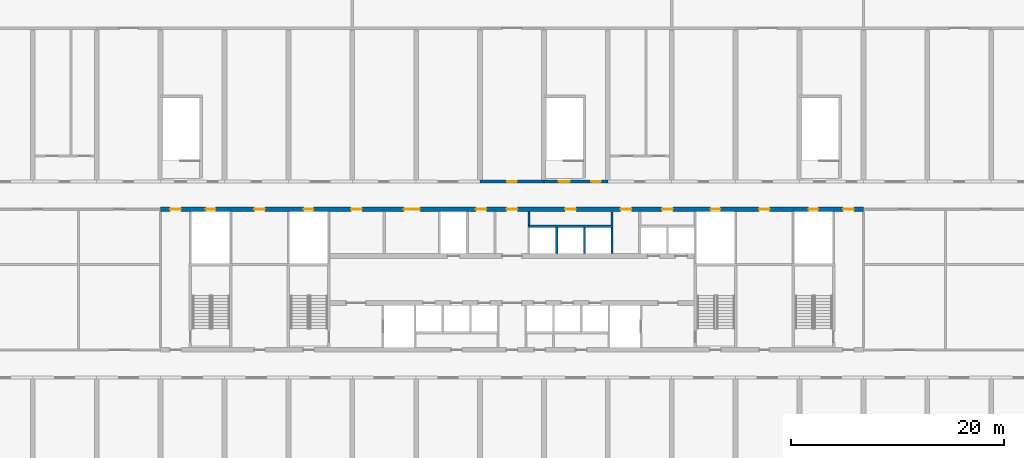
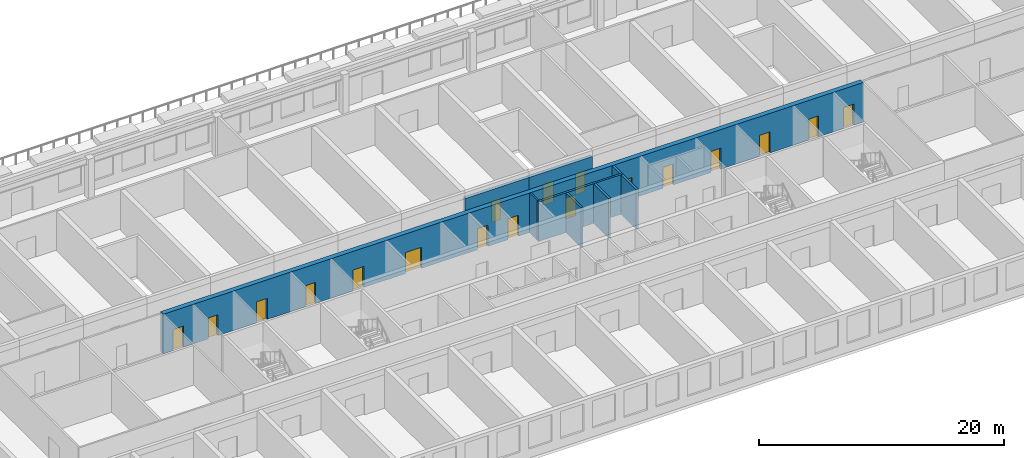
# One storey, part 6 of 15: 18 doors, 9 walls, 18 openings.
"""IFC4 building model written with IfcOpenShell, lengths in metres."""

from ifc_helpers import new_model, si_unit, direction, frame, frame_2d, origin, place, context, subcontext, project, spatial, rectangle, extrude, material, layer, layer_set, type_object, element, fill, save


model = new_model("IFC4")

# Units and contexts
model_context = context("Model", 3, precision=1e-05, world=origin(), true_north=direction((0.0, 1.0)))
body_context = subcontext(model_context, "Body", "Model", "MODEL_VIEW")
ifc_project = project(units=[si_unit("LENGTHUNIT", "METRE"), si_unit("AREAUNIT", "SQUARE_METRE"), si_unit("VOLUMEUNIT", "CUBIC_METRE"), si_unit("PLANEANGLEUNIT", "RADIAN"), si_unit("MASSUNIT", "GRAM", prefix="KILO")], contexts=[model_context])

# Site, building, storey
site_placement = place(None, origin())
site = spatial("IfcSite", under=ifc_project, at=site_placement, CompositionType="ELEMENT")
building_placement = place(site_placement, origin())
building = spatial("IfcBuilding", under=site, at=building_placement, Name="Poui Terraces", CompositionType="ELEMENT")
storey_placement = place(building_placement, frame((0.0, 0.0, 19.199951171875)))
storey = spatial("IfcBuildingStorey", under=building, at=storey_placement, Name="L04", CompositionType="ELEMENT", Elevation=19.199951171875)

# Wall
ifc_material_1 = material(Name="Fire-rated plasterboard wall")
ifc_layer_1 = layer(ifc_material_1, 0.14990234375)
ifc_layer_set_1 = layer_set([ifc_layer_1], Name="Fire-rated plasterboard wall")
wall_type_1 = type_object("IfcWallType", Name="CORRIDOR WALL 150", PredefinedType="PARTITIONING", material=ifc_layer_set_1)
wall_1_placement = place(storey_placement, frame((52.60009765625, 26.300048828125, 0.0), z_axis=(0.0, 0.0, 1.0), x_axis=(0.0, 1.0, 0.0)))
element("IfcWall", 1, at=wall_1_placement, inside=storey, type_object=wall_type_1, Name="CORRIDOR WALL 150", PredefinedType="PARTITIONING", context=body_context, shape_type="SweptSolid", body=[
    extrude(rectangle(XDim=1.264892578125, YDim=0.14990234375, at=frame_2d((0.63232421875, 0.0))), origin(), (0.0, 0.0, 1.0), 3.949951171875),
])

# Wall, opening, door
ifc_material_2 = material(Name="Concrete 80 MPa", Category="concrete")
ifc_layer_2 = layer(ifc_material_2, 0.300048828125)
ifc_layer_set_2 = layer_set([ifc_layer_2], Name="Concrete 80 MPa")
wall_type_2 = type_object("IfcWallType", Name="CORRIDOR WALL 300 80MPa", PredefinedType="SHEAR", material=ifc_layer_set_2)
wall_2_placement = place(storey_placement, frame((48.0, 30.39990234375, 0.0), z_axis=(0.0, 0.0, 1.0), x_axis=(1.0, 0.0, 0.0)))
wall_2 = element("IfcWall", 2, at=wall_2_placement, inside=storey, type_object=wall_type_2, Name="CORRIDOR WALL LINE E BAY 9", PredefinedType="SHEAR", context=body_context, shape_type="SweptSolid", body=[
    extrude(rectangle(XDim=6.0, YDim=0.300048828125, at=frame_2d((3.0, 0.0))), origin(), (0.0, 0.0, 1.0), 3.35009765625),
])
opening_1_placement = place(wall_2_placement, frame((2.550048828125, 0.0, 0.0)))
opening_1 = element("IfcOpeningElement", 3, at=opening_1_placement, cuts=wall_2, Name="Opening D90", PredefinedType="OPENING", context=body_context, shape_type="SweptSolid", body=[
    extrude(rectangle(XDim=0.89990234375, YDim=2.10009765625, at=frame_2d((0.449951171875, 1.050048828125))), frame((0.0, 0.16015625, 0.0), z_axis=(0.0, -1.0, 0.0), x_axis=(1.0, 0.0, 0.0)), (0.0, 0.0, 1.0), 0.320068359375),
])
ifc_material_3 = material(Name="Solid core timber door", Category="wood")
door_type_1 = type_object("IfcDoorType", Name="INTERNAL DOOR 900 X 2100", OperationType="NOTDEFINED", PredefinedType="DOOR", material=ifc_material_3)
door_1_placement = place(opening_1_placement, frame((0.89990234375, 0.0, 0.0), z_axis=(0.0, 0.0, 1.0), x_axis=(-1.0, 0.0, 0.0)))
door_1 = element("IfcDoor", 4, at=door_1_placement, inside=storey, type_object=door_type_1, Name="INTERNAL DOOR 021", OperationType="SINGLE_SWING_LEFT", OverallHeight=2.10009765625, OverallWidth=0.89990234375, PredefinedType="DOOR", context=body_context, shape_type="SweptSolid", body=[
    extrude(rectangle(XDim=0.89990234375, YDim=2.10009765625, at=frame_2d((0.449951171875, 1.050048828125))), frame((0.0, 0.02490234375, 0.0), z_axis=(0.0, -1.0, 0.0), x_axis=(1.0, 0.0, 0.0)), (0.0, 0.0, 1.0), 0.050048828125),
])
fill(opening_1, door_1)

# Wall, openings, doors
wall_3_placement = place(storey_placement, frame((54.0, 30.39990234375, 0.0), z_axis=(0.0, 0.0, 1.0), x_axis=(1.0, 0.0, 0.0)))
wall_3 = element("IfcWall", 5, at=wall_3_placement, inside=storey, type_object=wall_type_2, Name="CORRIDOR WALL LINE E BAY 10", PredefinedType="SHEAR", context=body_context, shape_type="SweptSolid", body=[
    extrude(rectangle(XDim=6.0, YDim=0.300048828125, at=frame_2d((3.0, 0.0))), origin(), (0.0, 0.0, 1.0), 3.35009765625),
])
opening_2_placement = place(wall_3_placement, frame((1.39990234375, 0.0, 0.0)))
opening_2 = element("IfcOpeningElement", 6, at=opening_2_placement, cuts=wall_3, Name="Opening FD60S", PredefinedType="OPENING", context=body_context, shape_type="SweptSolid", body=[
    extrude(rectangle(XDim=1.0, YDim=2.10009765625, at=frame_2d((0.5, 1.050048828125))), frame((0.0, 0.16015625, 0.0), z_axis=(0.0, -1.0, 0.0), x_axis=(1.0, 0.0, 0.0)), (0.0, 0.0, 1.0), 0.320068359375),
])
opening_3_placement = place(wall_3_placement, frame((4.449951171875, 0.0, 0.0)))
opening_3 = element("IfcOpeningElement", 7, at=opening_3_placement, cuts=wall_3, Name="Opening D90", PredefinedType="OPENING", context=body_context, shape_type="SweptSolid", body=[
    extrude(rectangle(XDim=0.89990234375, YDim=2.10009765625, at=frame_2d((0.449951171875, 1.050048828125))), frame((0.0, 0.16015625, 0.0), z_axis=(0.0, -1.0, 0.0), x_axis=(1.0, 0.0, 0.0)), (0.0, 0.0, 1.0), 0.320068359375),
])
door_2_placement = place(opening_3_placement, frame((0.89990234375, 0.0, 0.0), z_axis=(0.0, 0.0, 1.0), x_axis=(-1.0, 0.0, 0.0)))
door_2 = element("IfcDoor", 8, at=door_2_placement, inside=storey, type_object=door_type_1, Name="INTERNAL DOOR 024", OperationType="SINGLE_SWING_LEFT", OverallHeight=2.10009765625, OverallWidth=0.89990234375, PredefinedType="DOOR", context=body_context, shape_type="SweptSolid", body=[
    extrude(rectangle(XDim=0.89990234375, YDim=2.10009765625, at=frame_2d((0.449951171875, 1.050048828125))), frame((0.0, 0.02490234375, 0.0), z_axis=(0.0, -1.0, 0.0), x_axis=(1.0, 0.0, 0.0)), (0.0, 0.0, 1.0), 0.050048828125),
])
fill(opening_3, door_2)
ifc_material_4 = material(Name="Steel fire door", Category="steel")
door_type_2 = type_object("IfcDoorType", Name="STAIR DOOR 1000 X 2100", OperationType="NOTDEFINED", PredefinedType="DOOR", material=ifc_material_4)
door_3_placement = place(opening_2_placement, origin())
door_3 = element("IfcDoor", 9, at=door_3_placement, inside=storey, type_object=door_type_2, Name="STAIR DOOR 022", OperationType="SINGLE_SWING_LEFT", OverallHeight=2.10009765625, OverallWidth=1.0, PredefinedType="DOOR", context=body_context, shape_type="SweptSolid", body=[
    extrude(rectangle(XDim=1.0, YDim=2.10009765625, at=frame_2d((0.5, 1.050048828125))), frame((0.0, 0.02490234375, 0.0), z_axis=(0.0, -1.0, 0.0), x_axis=(1.0, 0.0, 0.0)), (0.0, 0.0, 1.0), 0.050048828125),
])
fill(opening_2, door_3)

# Walls
ifc_material_5 = material(Name="Fire-rated masonry wall", Category="masonry")
ifc_layer_3 = layer(ifc_material_5, 0.199951171875)
ifc_layer_set_3 = layer_set([ifc_layer_3], Name="Fire-rated masonry wall")
wall_type_3 = type_object("IfcWallType", Name="PLANT ROOM WALL 200", PredefinedType="PARTITIONING", material=ifc_layer_set_3)
wall_4_placement = place(storey_placement, frame((60.39990234375, 26.300048828125, 0.0), z_axis=(0.0, 0.0, 1.0), x_axis=(0.0, 1.0, 0.0)))
element("IfcWall", 10, at=wall_4_placement, inside=storey, type_object=wall_type_3, Name="PLANT ROOM WALL 200", PredefinedType="PARTITIONING", context=body_context, shape_type="SweptSolid", body=[
    extrude(rectangle(XDim=1.264892578125, YDim=0.199951171875, at=frame_2d((0.63232421875, 0.0))), origin(), (0.0, 0.0, 1.0), 3.949951171875),
])
ifc_material_6 = material(Name="Fire-rated masonry shaft wall", Category="masonry")
ifc_layer_4 = layer(ifc_material_6, 0.199951171875)
ifc_layer_set_4 = layer_set([ifc_layer_4], Name="Fire-rated masonry shaft wall")
wall_type_4 = type_object("IfcWallType", Name="SHAFT WALL 200", PredefinedType="PARTITIONING", material=ifc_layer_set_4)
wall_5_placement = place(storey_placement, frame((52.5, 26.199951171875, 0.0), z_axis=(0.0, 0.0, 1.0), x_axis=(1.0, 0.0, 0.0)))
element("IfcWall", 11, at=wall_5_placement, inside=storey, type_object=wall_type_4, Name="SHAFT WALL 200", PredefinedType="PARTITIONING", context=body_context, shape_type="SweptSolid", body=[
    extrude(rectangle(XDim=8.0, YDim=0.199951171875, at=frame_2d((4.0, 0.0))), origin(), (0.0, 0.0, 1.0), 3.949951171875),
])
for number, where, z_axis, x_axis, name in (
    (12, (55.199951171875, 23.635009765625, 0.0), (0.0, 0.0, 1.0), (0.0, 1.0, 0.0), "SHAFT WALL 200"),
    (13, (57.800048828125, 23.635009765625, 0.0), (0.0, 0.0, 1.0), (0.0, 1.0, 0.0), "SHAFT WALL 200"),
    (14, (60.39990234375, 23.635009765625, 0.0), (0.0, 0.0, 1.0), (0.0, 1.0, 0.0), "SHAFT WALL 200"),
):
    element("IfcWall", number, at=place(storey_placement, frame(where, z_axis=z_axis, x_axis=x_axis)), inside=storey, type_object=wall_type_4, Name=name, PredefinedType="PARTITIONING", context=body_context, shape_type="SweptSolid", body=[
        extrude(rectangle(XDim=2.465087890625, YDim=0.199951171875, at=frame_2d((1.232421875, 0.0))), origin(), (0.0, 0.0, 1.0), 3.949951171875),
    ])

# Wall, openings, doors
ifc_layer_5 = layer(ifc_material_2, 0.449951171875)
ifc_layer_set_5 = layer_set([ifc_layer_5], Name="Concrete 80 MPa")
wall_type_5 = type_object("IfcWallType", Name="SPINE WALL 450 80 MPA", PredefinedType="SOLIDWALL", material=ifc_layer_set_5)
wall_6_placement = place(storey_placement, frame((18.0, 27.800048828125, 0.0), z_axis=(0.0, 0.0, 1.0), x_axis=(1.0, 0.0, 0.0)))
wall_6 = element("IfcWall", 15, at=wall_6_placement, inside=storey, type_object=wall_type_5, Name="SPINE WALL", PredefinedType="SOLIDWALL", context=body_context, shape_type="SweptSolid", body=[
    extrude(rectangle(XDim=66.0, YDim=0.449951171875, at=frame_2d((33.0, 0.0))), origin(), (0.0, 0.0, 1.0), 3.949951171875),
])
opening_4_placement = place(wall_6_placement, frame((0.89990234375, 0.0, 0.0)))
opening_4 = element("IfcOpeningElement", 16, at=opening_4_placement, cuts=wall_6, Name="Opening FDL", PredefinedType="OPENING", context=body_context, shape_type="SweptSolid", body=[
    extrude(rectangle(XDim=1.0, YDim=2.10009765625, at=frame_2d((0.5, 1.050048828125))), frame((0.0, 0.23486328125, 0.0), z_axis=(0.0, -1.0, 0.0), x_axis=(1.0, 0.0, 0.0)), (0.0, 0.0, 1.0), 0.469970703125),
])
opening_5_placement = place(wall_6_placement, frame((4.25, 0.0, 0.0)))
opening_5 = element("IfcOpeningElement", 17, at=opening_5_placement, cuts=wall_6, Name="Opening FDR", PredefinedType="OPENING", context=body_context, shape_type="SweptSolid", body=[
    extrude(rectangle(XDim=0.89990234375, YDim=2.10009765625, at=frame_2d((0.449951171875, 1.050048828125))), frame((0.0, 0.23486328125, 0.0), z_axis=(0.0, -1.0, 0.0), x_axis=(1.0, 0.0, 0.0)), (0.0, 0.0, 1.0), 0.469970703125),
])
opening_6_placement = place(wall_6_placement, frame((8.800048828125, 0.0, 0.0)))
opening_6 = element("IfcOpeningElement", 18, at=opening_6_placement, cuts=wall_6, Name="Opening D100", PredefinedType="OPENING", context=body_context, shape_type="SweptSolid", body=[
    extrude(rectangle(XDim=1.0, YDim=2.10009765625, at=frame_2d((0.5, 1.050048828125))), frame((0.0, 0.23486328125, 0.0), z_axis=(0.0, -1.0, 0.0), x_axis=(1.0, 0.0, 0.0)), (0.0, 0.0, 1.0), 0.469970703125),
])
opening_7_placement = place(wall_6_placement, frame((13.449951171875, 0.0, 0.0)))
opening_7 = element("IfcOpeningElement", 19, at=opening_7_placement, cuts=wall_6, Name="Opening FDR", PredefinedType="OPENING", context=body_context, shape_type="SweptSolid", body=[
    extrude(rectangle(XDim=0.89990234375, YDim=2.10009765625, at=frame_2d((0.449951171875, 1.050048828125))), frame((0.0, 0.23486328125, 0.0), z_axis=(0.0, -1.0, 0.0), x_axis=(1.0, 0.0, 0.0)), (0.0, 0.0, 1.0), 0.469970703125),
])
opening_8_placement = place(wall_6_placement, frame((17.89990234375, 0.0, 0.0)))
opening_8 = element("IfcOpeningElement", 20, at=opening_8_placement, cuts=wall_6, Name="Opening FD60", PredefinedType="OPENING", context=body_context, shape_type="SweptSolid", body=[
    extrude(rectangle(XDim=1.0, YDim=2.10009765625, at=frame_2d((0.5, 1.050048828125))), frame((0.0, 0.23486328125, 0.0), z_axis=(0.0, -1.0, 0.0), x_axis=(1.0, 0.0, 0.0)), (0.0, 0.0, 1.0), 0.469970703125),
])
opening_9_placement = place(wall_6_placement, frame((22.85009765625, 0.0, 0.0)))
opening_9 = element("IfcOpeningElement", 21, at=opening_9_placement, cuts=wall_6, Name="Opening FDP", PredefinedType="OPENING", context=body_context, shape_type="SweptSolid", body=[
    extrude(rectangle(XDim=1.5, YDim=2.10009765625, at=frame_2d((0.75, 1.050048828125))), frame((0.0, 0.23486328125, 0.0), z_axis=(0.0, -1.0, 0.0), x_axis=(1.0, 0.0, 0.0)), (0.0, 0.0, 1.0), 0.469970703125),
])
opening_10_placement = place(wall_6_placement, frame((29.60009765625, 0.0, 0.0)))
opening_10 = element("IfcOpeningElement", 22, at=opening_10_placement, cuts=wall_6, Name="Opening FD60", PredefinedType="OPENING", context=body_context, shape_type="SweptSolid", body=[
    extrude(rectangle(XDim=1.0, YDim=2.10009765625, at=frame_2d((0.5, 1.050048828125))), frame((0.0, 0.23486328125, 0.0), z_axis=(0.0, -1.0, 0.0), x_axis=(1.0, 0.0, 0.0)), (0.0, 0.0, 1.0), 0.469970703125),
])
opening_11_placement = place(wall_6_placement, frame((32.5, 0.0, 0.0)))
opening_11 = element("IfcOpeningElement", 23, at=opening_11_placement, cuts=wall_6, Name="Opening FDL", PredefinedType="OPENING", context=body_context, shape_type="SweptSolid", body=[
    extrude(rectangle(XDim=1.0, YDim=2.10009765625, at=frame_2d((0.5, 1.050048828125))), frame((0.0, 0.23486328125, 0.0), z_axis=(0.0, -1.0, 0.0), x_axis=(1.0, 0.0, 0.0)), (0.0, 0.0, 1.0), 0.469970703125),
])
opening_12_placement = place(wall_6_placement, frame((38.0, 0.0, 0.0)))
opening_12 = element("IfcOpeningElement", 24, at=opening_12_placement, cuts=wall_6, Name="Opening FD60", PredefinedType="OPENING", context=body_context, shape_type="SweptSolid", body=[
    extrude(rectangle(XDim=1.0, YDim=2.10009765625, at=frame_2d((0.5, 1.050048828125))), frame((0.0, 0.23486328125, 0.0), z_axis=(0.0, -1.0, 0.0), x_axis=(1.0, 0.0, 0.0)), (0.0, 0.0, 1.0), 0.469970703125),
])
opening_13_placement = place(wall_6_placement, frame((43.199951171875, 0.0, 0.0)))
opening_13 = element("IfcOpeningElement", 25, at=opening_13_placement, cuts=wall_6, Name="Opening FD60", PredefinedType="OPENING", context=body_context, shape_type="SweptSolid", body=[
    extrude(rectangle(XDim=1.0, YDim=2.10009765625, at=frame_2d((0.5, 1.050048828125))), frame((0.0, 0.23486328125, 0.0), z_axis=(0.0, -1.0, 0.0), x_axis=(1.0, 0.0, 0.0)), (0.0, 0.0, 1.0), 0.469970703125),
])
opening_14_placement = place(wall_6_placement, frame((47.10009765625, 0.0, 0.0)))
opening_14 = element("IfcOpeningElement", 26, at=opening_14_placement, cuts=wall_6, Name="Opening FD60", PredefinedType="OPENING", context=body_context, shape_type="SweptSolid", body=[
    extrude(rectangle(XDim=1.0, YDim=2.10009765625, at=frame_2d((0.5, 1.050048828125))), frame((0.0, 0.23486328125, 0.0), z_axis=(0.0, -1.0, 0.0), x_axis=(1.0, 0.0, 0.0)), (0.0, 0.0, 1.0), 0.469970703125),
])
opening_15_placement = place(wall_6_placement, frame((51.64990234375, 0.0, 0.0)))
opening_15 = element("IfcOpeningElement", 27, at=opening_15_placement, cuts=wall_6, Name="Opening FDR", PredefinedType="OPENING", context=body_context, shape_type="SweptSolid", body=[
    extrude(rectangle(XDim=0.89990234375, YDim=2.10009765625, at=frame_2d((0.449951171875, 1.050048828125))), frame((0.0, 0.23486328125, 0.0), z_axis=(0.0, -1.0, 0.0), x_axis=(1.0, 0.0, 0.0)), (0.0, 0.0, 1.0), 0.469970703125),
])
opening_16_placement = place(wall_6_placement, frame((56.199951171875, 0.0, 0.0)))
opening_16 = element("IfcOpeningElement", 28, at=opening_16_placement, cuts=wall_6, Name="Opening D100", PredefinedType="OPENING", context=body_context, shape_type="SweptSolid", body=[
    extrude(rectangle(XDim=1.0, YDim=2.10009765625, at=frame_2d((0.5, 1.050048828125))), frame((0.0, 0.23486328125, 0.0), z_axis=(0.0, -1.0, 0.0), x_axis=(1.0, 0.0, 0.0)), (0.0, 0.0, 1.0), 0.469970703125),
])
opening_17_placement = place(wall_6_placement, frame((60.85009765625, 0.0, 0.0)))
opening_17 = element("IfcOpeningElement", 29, at=opening_17_placement, cuts=wall_6, Name="Opening FDR", PredefinedType="OPENING", context=body_context, shape_type="SweptSolid", body=[
    extrude(rectangle(XDim=0.89990234375, YDim=2.10009765625, at=frame_2d((0.449951171875, 1.050048828125))), frame((0.0, 0.23486328125, 0.0), z_axis=(0.0, -1.0, 0.0), x_axis=(1.0, 0.0, 0.0)), (0.0, 0.0, 1.0), 0.469970703125),
])
opening_18_placement = place(wall_6_placement, frame((64.10009765625, 0.0, 0.0)))
opening_18 = element("IfcOpeningElement", 30, at=opening_18_placement, cuts=wall_6, Name="Opening FDL", PredefinedType="OPENING", context=body_context, shape_type="SweptSolid", body=[
    extrude(rectangle(XDim=1.0, YDim=2.10009765625, at=frame_2d((0.5, 1.050048828125))), frame((0.0, 0.23486328125, 0.0), z_axis=(0.0, -1.0, 0.0), x_axis=(1.0, 0.0, 0.0)), (0.0, 0.0, 1.0), 0.469970703125),
])
door_type_3 = type_object("IfcDoorType", Name="ACCESSIBLE INTERNAL DOOR 1000 X 2100", OperationType="NOTDEFINED", PredefinedType="DOOR", material=ifc_material_3)
door_4_placement = place(opening_6_placement, origin())
door_4 = element("IfcDoor", 31, at=door_4_placement, inside=storey, type_object=door_type_3, Name="ACCESSIBLE INTERNAL DOOR 012", OperationType="SINGLE_SWING_RIGHT", OverallHeight=2.10009765625, OverallWidth=1.0, PredefinedType="DOOR", context=body_context, shape_type="SweptSolid", body=[
    extrude(rectangle(XDim=1.0, YDim=2.10009765625, at=frame_2d((0.5, 1.050048828125))), frame((0.0, 0.02490234375, 0.0), z_axis=(0.0, -1.0, 0.0), x_axis=(1.0, 0.0, 0.0)), (0.0, 0.0, 1.0), 0.050048828125),
])
fill(opening_6, door_4)
door_5_placement = place(opening_16_placement, origin())
door_5 = element("IfcDoor", 32, at=door_5_placement, inside=storey, type_object=door_type_3, Name="ACCESSIBLE INTERNAL DOOR 030", OperationType="SINGLE_SWING_RIGHT", OverallHeight=2.10009765625, OverallWidth=1.0, PredefinedType="DOOR", context=body_context, shape_type="SweptSolid", body=[
    extrude(rectangle(XDim=1.0, YDim=2.10009765625, at=frame_2d((0.5, 1.050048828125))), frame((0.0, 0.02490234375, 0.0), z_axis=(0.0, -1.0, 0.0), x_axis=(1.0, 0.0, 0.0)), (0.0, 0.0, 1.0), 0.050048828125),
])
fill(opening_16, door_5)
door_type_4 = type_object("IfcDoorType", Name="LOBBY FIRE DOOR 1000 X 2100", OperationType="NOTDEFINED", PredefinedType="DOOR", material=ifc_material_4)
door_6_placement = place(opening_4_placement, origin())
door_6 = element("IfcDoor", 33, at=door_6_placement, inside=storey, type_object=door_type_4, Name="LOBBY FIRE DOOR 007", OperationType="SINGLE_SWING_LEFT", OverallHeight=2.10009765625, OverallWidth=1.0, PredefinedType="DOOR", context=body_context, shape_type="SweptSolid", body=[
    extrude(rectangle(XDim=1.0, YDim=2.10009765625, at=frame_2d((0.5, 1.050048828125))), frame((0.0, 0.02490234375, 0.0), z_axis=(0.0, -1.0, 0.0), x_axis=(1.0, 0.0, 0.0)), (0.0, 0.0, 1.0), 0.050048828125),
])
fill(opening_4, door_6)
door_7_placement = place(opening_11_placement, origin())
door_7 = element("IfcDoor", 34, at=door_7_placement, inside=storey, type_object=door_type_4, Name="LOBBY FIRE DOOR 020", OperationType="SINGLE_SWING_RIGHT", OverallHeight=2.10009765625, OverallWidth=1.0, PredefinedType="DOOR", context=body_context, shape_type="SweptSolid", body=[
    extrude(rectangle(XDim=1.0, YDim=2.10009765625, at=frame_2d((0.5, 1.050048828125))), frame((0.0, 0.02490234375, 0.0), z_axis=(0.0, -1.0, 0.0), x_axis=(1.0, 0.0, 0.0)), (0.0, 0.0, 1.0), 0.050048828125),
])
fill(opening_11, door_7)
door_8_placement = place(opening_18_placement, origin())
door_8 = element("IfcDoor", 35, at=door_8_placement, inside=storey, type_object=door_type_4, Name="LOBBY FIRE DOOR 034", OperationType="SINGLE_SWING_RIGHT", OverallHeight=2.10009765625, OverallWidth=1.0, PredefinedType="DOOR", context=body_context, shape_type="SweptSolid", body=[
    extrude(rectangle(XDim=1.0, YDim=2.10009765625, at=frame_2d((0.5, 1.050048828125))), frame((0.0, 0.02490234375, 0.0), z_axis=(0.0, -1.0, 0.0), x_axis=(1.0, 0.0, 0.0)), (0.0, 0.0, 1.0), 0.050048828125),
])
fill(opening_18, door_8)
door_type_5 = type_object("IfcDoorType", Name="PLANT ROOM DOOR PAIR 1500 X 2100", OperationType="DOUBLE_DOOR_SINGLE_SWING", PredefinedType="DOOR", material=ifc_material_4)
door_9_placement = place(opening_9_placement, origin())
door_9 = element("IfcDoor", 36, at=door_9_placement, inside=storey, type_object=door_type_5, Name="PLANT ROOM DOOR PAIR 017", OperationType="DOUBLE_DOOR_SINGLE_SWING", OverallHeight=2.10009765625, OverallWidth=1.5, PredefinedType="DOOR", context=body_context, shape_type="SweptSolid", body=[
    extrude(rectangle(XDim=1.5, YDim=2.10009765625, at=frame_2d((0.75, 1.050048828125))), frame((0.0, 0.02490234375, 0.0), z_axis=(0.0, -1.0, 0.0), x_axis=(1.0, 0.0, 0.0)), (0.0, 0.0, 1.0), 0.050048828125),
])
fill(opening_9, door_9)
door_type_6 = type_object("IfcDoorType", Name="RISER CUPBOARD DOOR 900 X 2100", OperationType="NOTDEFINED", PredefinedType="DOOR", material=ifc_material_4)
door_10_placement = place(opening_5_placement, origin())
door_10 = element("IfcDoor", 37, at=door_10_placement, inside=storey, type_object=door_type_6, Name="RISER CUPBOARD DOOR 009", OperationType="SINGLE_SWING_LEFT", OverallHeight=2.10009765625, OverallWidth=0.89990234375, PredefinedType="DOOR", context=body_context, shape_type="SweptSolid", body=[
    extrude(rectangle(XDim=0.89990234375, YDim=2.10009765625, at=frame_2d((0.449951171875, 1.050048828125))), frame((0.0, 0.02490234375, 0.0), z_axis=(0.0, -1.0, 0.0), x_axis=(1.0, 0.0, 0.0)), (0.0, 0.0, 1.0), 0.050048828125),
])
fill(opening_5, door_10)
door_11_placement = place(opening_7_placement, origin())
door_11 = element("IfcDoor", 38, at=door_11_placement, inside=storey, type_object=door_type_6, Name="RISER CUPBOARD DOOR 013", OperationType="SINGLE_SWING_LEFT", OverallHeight=2.10009765625, OverallWidth=0.89990234375, PredefinedType="DOOR", context=body_context, shape_type="SweptSolid", body=[
    extrude(rectangle(XDim=0.89990234375, YDim=2.10009765625, at=frame_2d((0.449951171875, 1.050048828125))), frame((0.0, 0.02490234375, 0.0), z_axis=(0.0, -1.0, 0.0), x_axis=(1.0, 0.0, 0.0)), (0.0, 0.0, 1.0), 0.050048828125),
])
fill(opening_7, door_11)
door_12_placement = place(opening_15_placement, origin())
door_12 = element("IfcDoor", 39, at=door_12_placement, inside=storey, type_object=door_type_6, Name="RISER CUPBOARD DOOR 029", OperationType="SINGLE_SWING_RIGHT", OverallHeight=2.10009765625, OverallWidth=0.89990234375, PredefinedType="DOOR", context=body_context, shape_type="SweptSolid", body=[
    extrude(rectangle(XDim=0.89990234375, YDim=2.10009765625, at=frame_2d((0.449951171875, 1.050048828125))), frame((0.0, 0.02490234375, 0.0), z_axis=(0.0, -1.0, 0.0), x_axis=(1.0, 0.0, 0.0)), (0.0, 0.0, 1.0), 0.050048828125),
])
fill(opening_15, door_12)
door_13_placement = place(opening_17_placement, origin())
door_13 = element("IfcDoor", 40, at=door_13_placement, inside=storey, type_object=door_type_6, Name="RISER CUPBOARD DOOR 032", OperationType="SINGLE_SWING_RIGHT", OverallHeight=2.10009765625, OverallWidth=0.89990234375, PredefinedType="DOOR", context=body_context, shape_type="SweptSolid", body=[
    extrude(rectangle(XDim=0.89990234375, YDim=2.10009765625, at=frame_2d((0.449951171875, 1.050048828125))), frame((0.0, 0.02490234375, 0.0), z_axis=(0.0, -1.0, 0.0), x_axis=(1.0, 0.0, 0.0)), (0.0, 0.0, 1.0), 0.050048828125),
])
fill(opening_17, door_13)
door_type_7 = type_object("IfcDoorType", Name="SERVICE ROOM FIRE DOOR 1000 X 2100", OperationType="NOTDEFINED", PredefinedType="DOOR", material=ifc_material_4)
door_14_placement = place(opening_8_placement, origin())
door_14 = element("IfcDoor", 41, at=door_14_placement, inside=storey, type_object=door_type_7, Name="SERVICE ROOM FIRE DOOR 015", OperationType="SINGLE_SWING_RIGHT", OverallHeight=2.10009765625, OverallWidth=1.0, PredefinedType="DOOR", context=body_context, shape_type="SweptSolid", body=[
    extrude(rectangle(XDim=1.0, YDim=2.10009765625, at=frame_2d((0.5, 1.050048828125))), frame((0.0, 0.02490234375, 0.0), z_axis=(0.0, -1.0, 0.0), x_axis=(1.0, 0.0, 0.0)), (0.0, 0.0, 1.0), 0.050048828125),
])
fill(opening_8, door_14)
door_15_placement = place(opening_10_placement, origin())
door_15 = element("IfcDoor", 42, at=door_15_placement, inside=storey, type_object=door_type_7, Name="SERVICE ROOM FIRE DOOR 019", OperationType="SINGLE_SWING_RIGHT", OverallHeight=2.10009765625, OverallWidth=1.0, PredefinedType="DOOR", context=body_context, shape_type="SweptSolid", body=[
    extrude(rectangle(XDim=1.0, YDim=2.10009765625, at=frame_2d((0.5, 1.050048828125))), frame((0.0, 0.02490234375, 0.0), z_axis=(0.0, -1.0, 0.0), x_axis=(1.0, 0.0, 0.0)), (0.0, 0.0, 1.0), 0.050048828125),
])
fill(opening_10, door_15)
door_16_placement = place(opening_12_placement, origin())
door_16 = element("IfcDoor", 43, at=door_16_placement, inside=storey, type_object=door_type_7, Name="SERVICE ROOM FIRE DOOR 023", OperationType="SINGLE_SWING_LEFT", OverallHeight=2.10009765625, OverallWidth=1.0, PredefinedType="DOOR", context=body_context, shape_type="SweptSolid", body=[
    extrude(rectangle(XDim=1.0, YDim=2.10009765625, at=frame_2d((0.5, 1.050048828125))), frame((0.0, 0.02490234375, 0.0), z_axis=(0.0, -1.0, 0.0), x_axis=(1.0, 0.0, 0.0)), (0.0, 0.0, 1.0), 0.050048828125),
])
fill(opening_12, door_16)
door_17_placement = place(opening_13_placement, origin())
door_17 = element("IfcDoor", 44, at=door_17_placement, inside=storey, type_object=door_type_7, Name="SERVICE ROOM FIRE DOOR 025", OperationType="SINGLE_SWING_RIGHT", OverallHeight=2.10009765625, OverallWidth=1.0, PredefinedType="DOOR", context=body_context, shape_type="SweptSolid", body=[
    extrude(rectangle(XDim=1.0, YDim=2.10009765625, at=frame_2d((0.5, 1.050048828125))), frame((0.0, 0.02490234375, 0.0), z_axis=(0.0, -1.0, 0.0), x_axis=(1.0, 0.0, 0.0)), (0.0, 0.0, 1.0), 0.050048828125),
])
fill(opening_13, door_17)
door_18_placement = place(opening_14_placement, origin())
door_18 = element("IfcDoor", 45, at=door_18_placement, inside=storey, type_object=door_type_7, Name="SERVICE ROOM FIRE DOOR 027", OperationType="SINGLE_SWING_LEFT", OverallHeight=2.10009765625, OverallWidth=1.0, PredefinedType="DOOR", context=body_context, shape_type="SweptSolid", body=[
    extrude(rectangle(XDim=1.0, YDim=2.10009765625, at=frame_2d((0.5, 1.050048828125))), frame((0.0, 0.02490234375, 0.0), z_axis=(0.0, -1.0, 0.0), x_axis=(1.0, 0.0, 0.0)), (0.0, 0.0, 1.0), 0.050048828125),
])
fill(opening_14, door_18)

save(model, "model.ifc")
